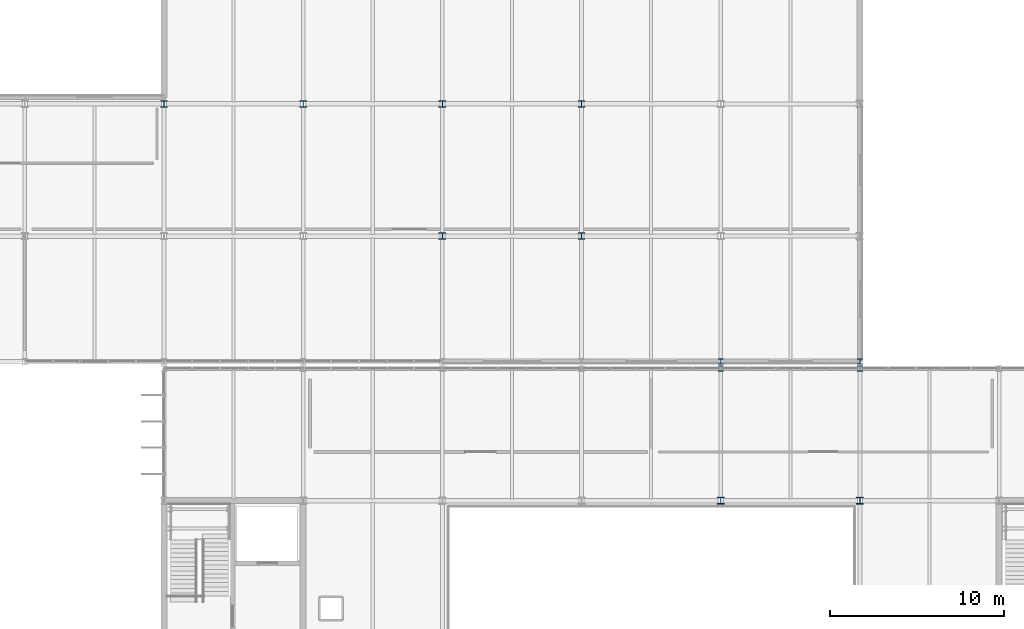
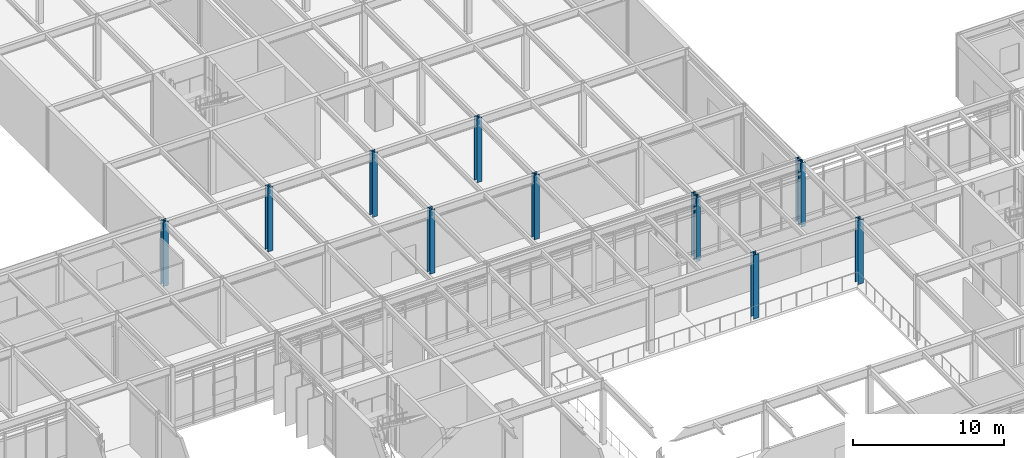
# One storey, part 12 of 94: 12 columns.
"""IFC4 building model written with IfcOpenShell, lengths in metres."""

from ifc_helpers import new_model, si_unit, direction, frame, origin, origin_2d, place, context, subcontext, project, spatial, i_section, extrude, material, material_profile, profile_set, type_object, element, save


model = new_model("IFC4")

# Units and contexts
model_context = context("Model", 3, precision=1e-05, world=origin(), true_north=direction((0.0, 1.0)))
body_context = subcontext(model_context, "Body", "Model", "MODEL_VIEW")
ifc_project = project(units=[si_unit("LENGTHUNIT", "METRE"), si_unit("AREAUNIT", "SQUARE_METRE"), si_unit("VOLUMEUNIT", "CUBIC_METRE"), si_unit("PLANEANGLEUNIT", "RADIAN"), si_unit("MASSUNIT", "GRAM", prefix="KILO")], contexts=[model_context])

# Site, building, storey
site_placement = place(None, origin())
site = spatial("IfcSite", under=ifc_project, at=site_placement, CompositionType="ELEMENT")
building_placement = place(site_placement, origin())
building = spatial("IfcBuilding", under=site, at=building_placement, Name="Zulena Civic Courthouse", CompositionType="ELEMENT")
storey_placement = place(building_placement, frame((0.0, 0.0, 5.39990234375)))
storey = spatial("IfcBuildingStorey", under=building, at=storey_placement, Name="L01", CompositionType="ELEMENT", Elevation=5.39990234375)

# Columns
ifc_material = material(Name="Steel ASTM A992 Grade 50", Category="steel")
ifc_material_profile_1 = material_profile(ifc_material, i_section(OverallWidth=0.31298828125, OverallDepth=0.3330078125, WebThickness=0.01806640625, FlangeThickness=0.0283203125, FilletRadius=0.01513671875, at=origin_2d()), Name="W12X120")
ifc_profile_set_1 = profile_set([ifc_material_profile_1], Name="Steel ASTM A992 Grade 50")
column_type_1 = type_object("IfcColumnType", Name="Col_W12X120", PredefinedType="COLUMN", material=ifc_profile_set_1)
for number, where, z_axis, x_axis, name in (
    (1, (100.0, 45.60009765625, 0.0), (0.0, 0.0, 1.0), (1.0, 0.0, 0.0), "col:V4:L01:100.0:45.6"),
    (2, (108.0, 45.60009765625, 0.0), (0.0, 0.0, 1.0), (1.0, 0.0, 0.0), "col:V4:L01:108.0:45.6"),
    (3, (100.0, 46.0, 0.0), (0.0, 0.0, 1.0), (1.0, 0.0, 0.0), "col:V5:L01:100.0:46.0"),
    (4, (108.0, 46.0, 0.0), (0.0, 0.0, 1.0), (1.0, 0.0, 0.0), "col:V5:L01:108.0:46.0"),
):
    element("IfcColumn", number, at=place(storey_placement, frame(where, z_axis=z_axis, x_axis=x_axis)), inside=storey, type_object=column_type_1, Name=name, PredefinedType="COLUMN", context=body_context, shape_type="SweptSolid", body=[
        extrude(i_section(OverallWidth=0.31298828125, OverallDepth=0.3330078125, WebThickness=0.01806640625, FlangeThickness=0.0283203125, FilletRadius=0.01513671875, at=origin_2d()), origin(), (0.0, 0.0, 1.0), 5.18505859375),
    ])
ifc_material_profile_2 = material_profile(ifc_material, i_section(OverallWidth=0.39404296875, OverallDepth=0.3759765625, WebThickness=0.017333984375, FlangeThickness=0.027587890625, FilletRadius=0.01513671875, at=origin_2d()), Name="W14X145")
ifc_profile_set_2 = profile_set([ifc_material_profile_2], Name="Steel ASTM A992 Grade 50")
column_type_2 = type_object("IfcColumnType", Name="Col_W14X145", PredefinedType="COLUMN", material=ifc_profile_set_2)
for number, where, z_axis, x_axis, name in (
    (5, (68.0, 60.800048828125, 0.0), (0.0, 0.0, 1.0), (1.0, 0.0, 0.0), "col:V5:L01:68.0:60.8"),
    (6, (76.0, 60.800048828125, 0.0), (0.0, 0.0, 1.0), (1.0, 0.0, 0.0), "col:V5:L01:76.0:60.8"),
    (7, (84.0, 53.199951171875, 0.0), (0.0, 0.0, 1.0), (1.0, 0.0, 0.0), "col:V5:L01:84.0:53.2"),
    (8, (84.0, 60.800048828125, 0.0), (0.0, 0.0, 1.0), (1.0, 0.0, 0.0), "col:V5:L01:84.0:60.8"),
    (9, (92.0, 53.199951171875, 0.0), (0.0, 0.0, 1.0), (1.0, 0.0, 0.0), "col:V5:L01:92.0:53.2"),
    (10, (92.0, 60.800048828125, 0.0), (0.0, 0.0, 1.0), (1.0, 0.0, 0.0), "col:V5:L01:92.0:60.8"),
):
    element("IfcColumn", number, at=place(storey_placement, frame(where, z_axis=z_axis, x_axis=x_axis)), inside=storey, type_object=column_type_2, Name=name, PredefinedType="COLUMN", context=body_context, shape_type="SweptSolid", body=[
        extrude(i_section(OverallWidth=0.39404296875, OverallDepth=0.3759765625, WebThickness=0.017333984375, FlangeThickness=0.027587890625, FilletRadius=0.01513671875, at=origin_2d()), origin(), (0.0, 0.0, 1.0), 5.18505859375),
    ])
ifc_material_profile_3 = material_profile(ifc_material, i_section(OverallWidth=0.40087890625, OverallDepth=0.39892578125, WebThickness=0.02490234375, FlangeThickness=0.03955078125, FilletRadius=0.01513671875, at=origin_2d()), Name="W14X211")
ifc_profile_set_3 = profile_set([ifc_material_profile_3], Name="Steel ASTM A992 Grade 50")
column_type_3 = type_object("IfcColumnType", Name="Col_W14X211", PredefinedType="COLUMN", material=ifc_profile_set_3)
for number, where, z_axis, x_axis, name in (
    (11, (100.0, 38.0, 0.0), (0.0, 0.0, 1.0), (1.0, 0.0, 0.0), "col:V4:L01:100.0:38.0"),
    (12, (108.0, 38.0, 0.0), (0.0, 0.0, 1.0), (1.0, 0.0, 0.0), "col:V4:L01:108.0:38.0"),
):
    element("IfcColumn", number, at=place(storey_placement, frame(where, z_axis=z_axis, x_axis=x_axis)), inside=storey, type_object=column_type_3, Name=name, PredefinedType="COLUMN", context=body_context, shape_type="SweptSolid", body=[
        extrude(i_section(OverallWidth=0.40087890625, OverallDepth=0.39892578125, WebThickness=0.02490234375, FlangeThickness=0.03955078125, FilletRadius=0.01513671875, at=origin_2d()), origin(), (0.0, 0.0, 1.0), 5.18505859375),
    ])

save(model, "model.ifc")
